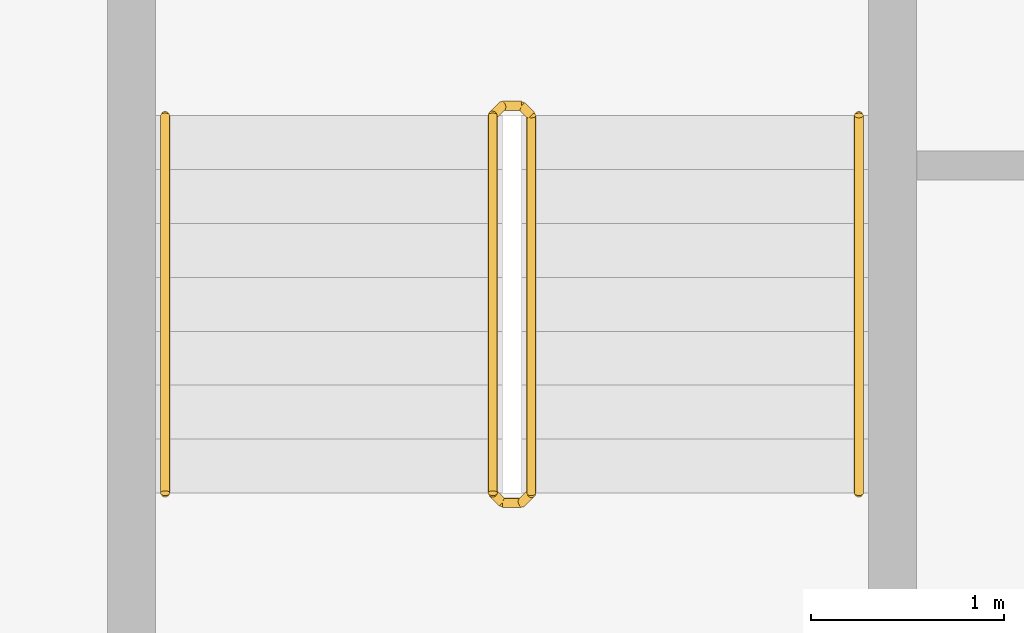
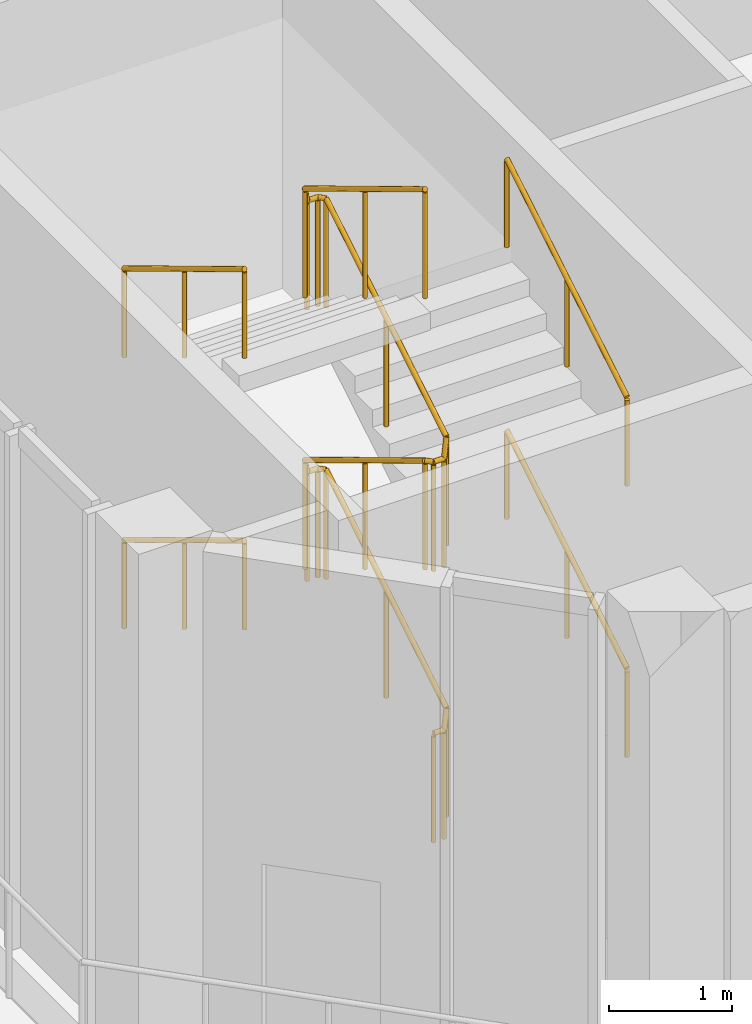
# One storey, part 15 of 18: 5 railings.
"""IFC4 building model written with IfcOpenShell, lengths in metres."""

from ifc_helpers import new_model, si_unit, direction, frame, origin, origin_2d, place, context, subcontext, project, spatial, circle, extrude, material, type_object, element, save


model = new_model("IFC4")

# Units and contexts
model_context = context("Model", 3, precision=1e-05, world=origin(), true_north=direction((0.0, 1.0)))
body_context = subcontext(model_context, "Body", "Model", "MODEL_VIEW")
ifc_project = project(units=[si_unit("LENGTHUNIT", "METRE"), si_unit("AREAUNIT", "SQUARE_METRE"), si_unit("VOLUMEUNIT", "CUBIC_METRE"), si_unit("PLANEANGLEUNIT", "RADIAN"), si_unit("MASSUNIT", "GRAM", prefix="KILO")], contexts=[model_context])

# Site, building, storey
site_placement = place(None, origin())
site = spatial("IfcSite", under=ifc_project, at=site_placement, CompositionType="ELEMENT")
building_placement = place(site_placement, origin())
building = spatial("IfcBuilding", under=site, at=building_placement, Name="Kilnfold Tower and Market Hall", CompositionType="ELEMENT")
storey_placement = place(building_placement, frame((0.0, 0.0, 233.60009765625)))
storey = spatial("IfcBuildingStorey", under=building, at=storey_placement, Name="L56", CompositionType="ELEMENT", Elevation=233.60009765625)

# Railings
ifc_material_1 = material(Name="Stainless steel 316", Category="steel")
railing_type_1 = type_object("IfcRailingType", Name="CORE STAIR GUARD 1100", PredefinedType="GUARDRAIL", material=ifc_material_1)
railing_1_placement = place(storey_placement, frame((-15.699951171875, -13.75, 0.0)))
element("IfcRailing", 1, at=railing_1_placement, inside=storey, type_object=railing_type_1, Name="L56 ST3 stair guard 1", PredefinedType="GUARDRAIL", context=body_context, shape_type="SweptSolid", body=[
    extrude(circle(Radius=0.02392578125, at=origin_2d()), frame((0.0, 0.0, 1.076171875), z_axis=(1.0, 0.0, 0.0), x_axis=(0.0, 1.0, 0.0)), (0.0, 0.0, 1.0), 0.099853515625),
    extrude(circle(Radius=0.02392578125, at=origin_2d()), frame((0.099853515625, 0.0, 1.076171875), z_axis=(0.273569069059, 0.273569069059, 0.922127935218), x_axis=(-0.707106781187, 0.707106781187, 0.0)), (0.0, 0.0, 1.0), 0.182861328125),
    extrude(circle(Radius=0.02392578125, at=origin_2d()), frame((0.14990234375, 0.050048828125, 1.24462890625), z_axis=(0.0, 0.856493463811, 0.516157869696), x_axis=(-1.0, 0.0, 0.0)), (0.0, 0.0, 1.0), 2.288330078125),
    extrude(circle(Radius=0.02392578125, at=origin_2d()), frame((0.14990234375, 2.010009765625, 2.42578125), z_axis=(-0.707106781187, 0.707106781187, 0.0), x_axis=(-0.707106781187, -0.707106781187, 0.0)), (0.0, 0.0, 1.0), 0.07080078125),
    extrude(circle(Radius=0.02392578125, at=origin_2d()), frame((0.099853515625, 2.06005859375, 2.42578125), z_axis=(-1.0, 0.0, 0.0), x_axis=(0.0, -1.0, 0.0)), (0.0, 0.0, 1.0), 0.099853515625),
    extrude(circle(Radius=0.02392578125, at=origin_2d()), frame((0.0, 2.06005859375, 2.42578125), z_axis=(-0.273232802156, -0.273232802156, 0.922327312645), x_axis=(0.707106781187, -0.707106781187, 0.0)), (0.0, 0.0, 1.0), 0.18310546875),
    extrude(circle(Radius=0.02392578125, at=origin_2d()), frame((-0.050048828125, 2.010009765625, 2.5947265625), z_axis=(0.0, -0.856493463811, 0.516157869696), x_axis=(1.0, 0.0, 0.0)), (0.0, 0.0, 1.0), 2.288330078125),
    extrude(circle(Radius=0.02392578125, at=origin_2d()), frame((-0.050048828125, 0.050048828125, 3.77587890625), z_axis=(0.707106781187, -0.707106781187, 0.0), x_axis=(0.707106781187, 0.707106781187, 0.0)), (0.0, 0.0, 1.0), 0.07080078125),
    extrude(circle(Radius=0.02392578125, at=origin_2d()), frame((0.0, 0.0, 3.77587890625), z_axis=(1.0, 0.0, 0.0), x_axis=(0.0, 1.0, 0.0)), (0.0, 0.0, 1.0), 0.099853515625),
    extrude(circle(Radius=0.02392578125, at=origin_2d()), frame((0.099853515625, 0.0, 3.77587890625), z_axis=(0.273569069059, 0.273569069059, 0.922127935218), x_axis=(-0.707106781187, 0.707106781187, 0.0)), (0.0, 0.0, 1.0), 0.182861328125),
    extrude(circle(Radius=0.02392578125, at=origin_2d()), frame((0.14990234375, 0.050048828125, 3.94482421875), z_axis=(0.0, 0.856493463811, 0.516157869696), x_axis=(-1.0, 0.0, 0.0)), (0.0, 0.0, 1.0), 2.288330078125),
    extrude(circle(Radius=0.02392578125, at=origin_2d()), frame((0.14990234375, 2.010009765625, 5.1259765625), z_axis=(-0.707106781187, 0.707106781187, 0.0), x_axis=(-0.707106781187, -0.707106781187, 0.0)), (0.0, 0.0, 1.0), 0.07080078125),
    extrude(circle(Radius=0.02392578125, at=origin_2d()), frame((0.099853515625, 2.06005859375, 5.1259765625), z_axis=(-1.0, 0.0, 0.0), x_axis=(0.0, -1.0, 0.0)), (0.0, 0.0, 1.0), 0.099853515625),
    extrude(circle(Radius=0.02392578125, at=origin_2d()), frame((0.0, 2.06005859375, 5.1259765625), z_axis=(-0.273569069059, -0.273569069059, 0.922127935218), x_axis=(0.707106781187, -0.707106781187, 0.0)), (0.0, 0.0, 1.0), 0.182861328125),
    extrude(circle(Radius=0.02392578125, at=origin_2d()), frame((-0.050048828125, 2.010009765625, 5.29443359375), z_axis=(0.0, -0.856446297458, 0.516236127728), x_axis=(1.0, 0.0, 0.0)), (0.0, 0.0, 1.0), 2.28857421875),
    extrude(circle(Radius=0.02099609375, at=origin_2d()), origin(), (0.0, 0.0, 1.0), 1.052001953125),
    extrude(circle(Radius=0.02099609375, at=origin_2d()), frame((0.099853515625, 0.0, 0.0)), (0.0, 0.0, 1.0), 1.052001953125),
    extrude(circle(Radius=0.02099609375, at=origin_2d()), frame((0.14990234375, 0.050048828125, 0.168701171875)), (0.0, 0.0, 1.0), 1.052001953125),
    extrude(circle(Radius=0.02099609375, at=origin_2d()), frame((0.14990234375, 1.030029296875, 0.75927734375)), (0.0, 0.0, 1.0), 1.052001953125),
    extrude(circle(Radius=0.02099609375, at=origin_2d()), frame((0.14990234375, 2.010009765625, 1.349853515625)), (0.0, 0.0, 1.0), 1.052001953125),
    extrude(circle(Radius=0.02099609375, at=origin_2d()), frame((0.099853515625, 2.06005859375, 1.349853515625)), (0.0, 0.0, 1.0), 1.052001953125),
    extrude(circle(Radius=0.02099609375, at=origin_2d()), frame((0.0, 2.06005859375, 1.349853515625)), (0.0, 0.0, 1.0), 1.052001953125),
    extrude(circle(Radius=0.02099609375, at=origin_2d()), frame((-0.050048828125, 2.010009765625, 1.518798828125)), (0.0, 0.0, 1.0), 1.052001953125),
    extrude(circle(Radius=0.02099609375, at=origin_2d()), frame((-0.050048828125, 1.030029296875, 2.109375)), (0.0, 0.0, 1.0), 1.052001953125),
    extrude(circle(Radius=0.02099609375, at=origin_2d()), frame((-0.050048828125, 0.050048828125, 2.699951171875)), (0.0, 0.0, 1.0), 1.052001953125),
    extrude(circle(Radius=0.02099609375, at=origin_2d()), frame((0.0, 0.0, 2.699951171875)), (0.0, 0.0, 1.0), 1.052001953125),
    extrude(circle(Radius=0.02099609375, at=origin_2d()), frame((0.099853515625, 0.0, 2.699951171875)), (0.0, 0.0, 1.0), 1.052001953125),
    extrude(circle(Radius=0.02099609375, at=origin_2d()), frame((0.14990234375, 0.050048828125, 2.86865234375)), (0.0, 0.0, 1.0), 1.052001953125),
    extrude(circle(Radius=0.02099609375, at=origin_2d()), frame((0.14990234375, 1.030029296875, 3.459228515625)), (0.0, 0.0, 1.0), 1.052001953125),
    extrude(circle(Radius=0.02099609375, at=origin_2d()), frame((0.14990234375, 2.010009765625, 4.0498046875)), (0.0, 0.0, 1.0), 1.052001953125),
    extrude(circle(Radius=0.02099609375, at=origin_2d()), frame((0.099853515625, 2.06005859375, 4.0498046875)), (0.0, 0.0, 1.0), 1.052001953125),
    extrude(circle(Radius=0.02099609375, at=origin_2d()), frame((0.0, 2.06005859375, 4.0498046875)), (0.0, 0.0, 1.0), 1.052001953125),
    extrude(circle(Radius=0.02099609375, at=origin_2d()), frame((-0.050048828125, 2.010009765625, 4.218505859375)), (0.0, 0.0, 1.0), 1.052001953125),
    extrude(circle(Radius=0.02099609375, at=origin_2d()), frame((-0.050048828125, 1.030029296875, 4.80908203125)), (0.0, 0.0, 1.0), 1.052001953125),
    extrude(circle(Radius=0.02099609375, at=origin_2d()), frame((-0.050048828125, 0.050048828125, 5.39990234375)), (0.0, 0.0, 1.0), 1.052001953125),
])
ifc_material_2 = material(Name="Stainless steel 316", Category="steel")
railing_type_2 = type_object("IfcRailingType", Name="CORE STAIR HANDRAIL 900", PredefinedType="HANDRAIL", material=ifc_material_2)
railing_2_placement = place(storey_placement, frame((-13.85009765625, -13.699951171875, 0.168701171875)))
element("IfcRailing", 2, at=railing_2_placement, inside=storey, type_object=railing_type_2, Name="L56 ST3 stair handrail 1", PredefinedType="HANDRAIL", context=body_context, shape_type="SweptSolid", body=[
    extrude(circle(Radius=0.02392578125, at=origin_2d()), frame((0.0, 0.0, 0.8759765625), z_axis=(0.0, 0.856493463811, 0.516157869696), x_axis=(-1.0, 0.0, 0.0)), (0.0, 0.0, 1.0), 2.288330078125),
    extrude(circle(Radius=0.02099609375, at=origin_2d()), origin(), (0.0, 0.0, 1.0), 0.851806640625),
    extrude(circle(Radius=0.02099609375, at=origin_2d()), frame((0.0, 0.97998046875, 0.590576171875)), (0.0, 0.0, 1.0), 0.851806640625),
    extrude(circle(Radius=0.02099609375, at=origin_2d()), frame((0.0, 1.9599609375, 1.18115234375)), (0.0, 0.0, 1.0), 0.851806640625),
])
railing_3_placement = place(storey_placement, frame((-17.449951171875, -11.739990234375, 1.518798828125)))
element("IfcRailing", 3, at=railing_3_placement, inside=storey, type_object=railing_type_2, Name="L56 ST3 stair handrail 2", PredefinedType="HANDRAIL", context=body_context, shape_type="SweptSolid", body=[
    extrude(circle(Radius=0.02392578125, at=origin_2d()), frame((0.0, 0.0, 0.8759765625), z_axis=(0.0, -0.856493463811, 0.516157869696), x_axis=(1.0, 0.0, 0.0)), (0.0, 0.0, 1.0), 2.288330078125),
    extrude(circle(Radius=0.02099609375, at=origin_2d()), origin(), (0.0, 0.0, 1.0), 0.851806640625),
    extrude(circle(Radius=0.02099609375, at=origin_2d()), frame((0.0, -0.97998046875, 0.590576171875)), (0.0, 0.0, 1.0), 0.851806640625),
    extrude(circle(Radius=0.02099609375, at=origin_2d()), frame((0.0, -1.9599609375, 1.18115234375)), (0.0, 0.0, 1.0), 0.851806640625),
])
railing_4_placement = place(storey_placement, frame((-13.85009765625, -13.699951171875, 2.86865234375)))
element("IfcRailing", 4, at=railing_4_placement, inside=storey, type_object=railing_type_2, Name="L56 ST3 stair handrail 3", PredefinedType="HANDRAIL", context=body_context, shape_type="SweptSolid", body=[
    extrude(circle(Radius=0.02392578125, at=origin_2d()), frame((0.0, 0.0, 0.8759765625), z_axis=(0.0, 0.856493463811, 0.516157869696), x_axis=(-1.0, 0.0, 0.0)), (0.0, 0.0, 1.0), 2.288330078125),
    extrude(circle(Radius=0.02099609375, at=origin_2d()), origin(), (0.0, 0.0, 1.0), 0.851806640625),
    extrude(circle(Radius=0.02099609375, at=origin_2d()), frame((0.0, 0.97998046875, 0.590576171875)), (0.0, 0.0, 1.0), 0.851806640625),
    extrude(circle(Radius=0.02099609375, at=origin_2d()), frame((0.0, 1.9599609375, 1.18115234375)), (0.0, 0.0, 1.0), 0.851806640625),
])
railing_5_placement = place(storey_placement, frame((-17.449951171875, -11.739990234375, 4.218505859375)))
element("IfcRailing", 5, at=railing_5_placement, inside=storey, type_object=railing_type_2, Name="L56 ST3 stair handrail 4", PredefinedType="HANDRAIL", context=body_context, shape_type="SweptSolid", body=[
    extrude(circle(Radius=0.02392578125, at=origin_2d()), frame((0.0, 0.0, 0.8759765625), z_axis=(0.0, -0.856446297458, 0.516236127728), x_axis=(1.0, 0.0, 0.0)), (0.0, 0.0, 1.0), 2.28857421875),
    extrude(circle(Radius=0.02099609375, at=origin_2d()), origin(), (0.0, 0.0, 1.0), 0.851806640625),
    extrude(circle(Radius=0.02099609375, at=origin_2d()), frame((0.0, -0.97998046875, 0.5908203125)), (0.0, 0.0, 1.0), 0.851806640625),
    extrude(circle(Radius=0.02099609375, at=origin_2d()), frame((0.0, -1.9599609375, 1.181396484375)), (0.0, 0.0, 1.0), 0.851806640625),
])

save(model, "model.ifc")
